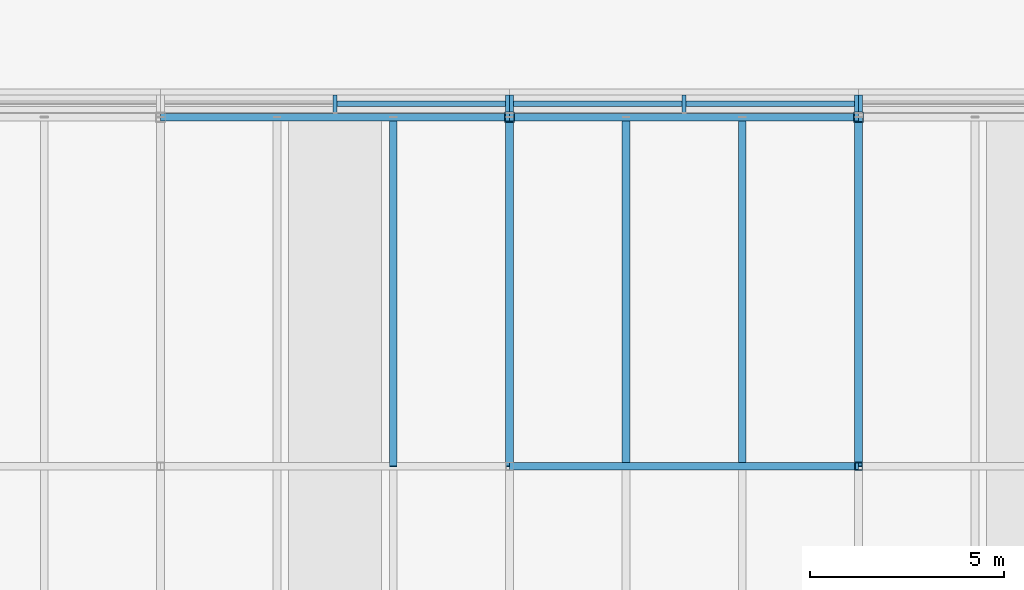
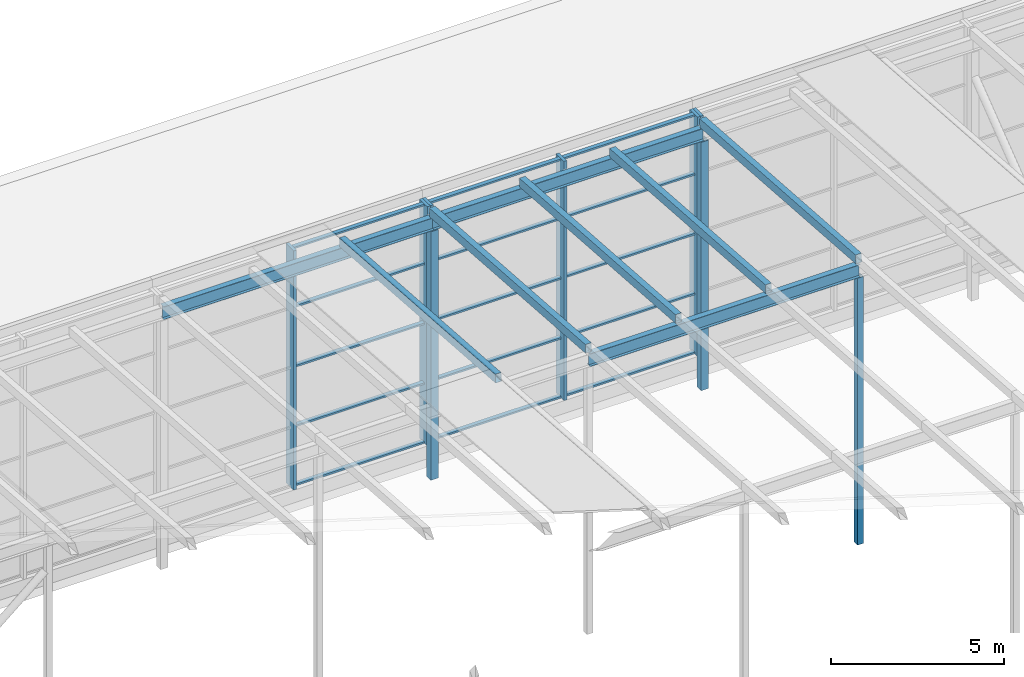
# One storey, part 46 of 84: 29 members, 3 beams, 3 elements without a shape of their own.
"""IFC4 building model written with IfcOpenShell, lengths in metres."""

from ifc_helpers import new_model, si_unit, direction, frame, origin, origin_2d, place, context, subcontext, project, spatial, rectangle, hollow_rectangle, i_section, extrude, material, material_profile, profile_set, type_object, element, aggregate, save


model = new_model("IFC4")

# Units and contexts
model_context = context("Model", 3, precision=1e-05, world=origin(), true_north=direction((0.0, 1.0)))
body_context = subcontext(model_context, "Body", "Model", "MODEL_VIEW")
ifc_project = project(units=[si_unit("LENGTHUNIT", "METRE"), si_unit("AREAUNIT", "SQUARE_METRE"), si_unit("VOLUMEUNIT", "CUBIC_METRE"), si_unit("PLANEANGLEUNIT", "RADIAN"), si_unit("MASSUNIT", "GRAM", prefix="KILO")], contexts=[model_context])

# Site, building, storey
site_placement = place(None, origin())
site = spatial("IfcSite", under=ifc_project, at=site_placement, CompositionType="ELEMENT")
building_placement = place(site_placement, origin())
building = spatial("IfcBuilding", under=site, at=building_placement, Name="Silverbay Arena", CompositionType="ELEMENT")
storey_placement = place(building_placement, frame((0.0, 0.0, 47.10009765625)))
storey = spatial("IfcBuildingStorey", under=building, at=storey_placement, Name="ROOF", CompositionType="ELEMENT", Elevation=47.10009765625)

# Curtain wall, members
ifc_material_1 = material(Name="Aluminium framed glazing", Category="aluminium")
curtain_wall_type = type_object("IfcCurtainWallType", Name="Curtain wall crown 9000 x 8425", PredefinedType="NOTDEFINED", material=ifc_material_1)
curtain_wall_1_placement = place(storey_placement, origin())
curtain_wall_1 = element("IfcCurtainWall", 1, at=curtain_wall_1_placement, inside=storey, type_object=curtain_wall_type, Name="ROOF CROWN CURTAIN WALL north bay 08", PredefinedType="NOTDEFINED")
ifc_material_2 = material(Name="Aluminium", Category="aluminium")
ifc_material_profile_1 = material_profile(ifc_material_2, rectangle(XDim=0.449951171875, YDim=0.10009765625, at=origin_2d()), Name="Mullion 100 x 450")
ifc_profile_set_1 = profile_set([ifc_material_profile_1], Name="Aluminium")
member_type_1 = type_object("IfcMemberType", Name="Mullion 100 x 450", PredefinedType="MULLION", material=ifc_profile_set_1)
placement = place(building_placement, frame((0.0, 0.0, 33.5)))
member_1_placement = place(placement, frame((148.5, 135.35009765625, 14.050048828125), z_axis=(0.0, 0.0, 1.0), x_axis=(0.0, 1.0, 0.0)))
member_1 = element("IfcMember", 2, at=member_1_placement, type_object=member_type_1, Name="CW62 mullion 2", PredefinedType="MULLION", context=body_context, shape_type="SweptSolid", body=[
    extrude(rectangle(XDim=0.449951171875, YDim=0.10009765625, at=origin_2d()), origin(), (0.0, 0.0, 1.0), 8.424560546875),
])
member_2_placement = place(placement, frame((152.949951171875, 135.35009765625, 14.050048828125), z_axis=(0.0, 0.0, 1.0), x_axis=(0.0, 1.0, 0.0)))
member_2 = element("IfcMember", 3, at=member_2_placement, type_object=member_type_1, Name="CW62 mullion 3", PredefinedType="MULLION", context=body_context, shape_type="SweptSolid", body=[
    extrude(rectangle(XDim=0.449951171875, YDim=0.10009765625, at=origin_2d()), origin(), (0.0, 0.0, 1.0), 8.424560546875),
])

curtain_wall_2_placement = place(storey_placement, origin())
curtain_wall_2 = element("IfcCurtainWall", 4, at=curtain_wall_2_placement, inside=storey, type_object=curtain_wall_type, Name="ROOF CROWN CURTAIN WALL north bay 09", PredefinedType="NOTDEFINED")
member_3_placement = place(placement, frame((153.050048828125, 135.35009765625, 14.050048828125), z_axis=(0.0, 0.0, 1.0), x_axis=(0.0, 1.0, 0.0)))
member_3 = element("IfcMember", 5, at=member_3_placement, type_object=member_type_1, Name="CW62 mullion 1", PredefinedType="MULLION", context=body_context, shape_type="SweptSolid", body=[
    extrude(rectangle(XDim=0.449951171875, YDim=0.10009765625, at=origin_2d()), origin(), (0.0, 0.0, 1.0), 8.424560546875),
])
member_4_placement = place(placement, frame((157.5, 135.35009765625, 14.050048828125), z_axis=(0.0, 0.0, 1.0), x_axis=(0.0, 1.0, 0.0)))
member_4 = element("IfcMember", 6, at=member_4_placement, type_object=member_type_1, Name="CW62 mullion 2", PredefinedType="MULLION", context=body_context, shape_type="SweptSolid", body=[
    extrude(rectangle(XDim=0.449951171875, YDim=0.10009765625, at=origin_2d()), origin(), (0.0, 0.0, 1.0), 8.424560546875),
])
member_5_placement = place(placement, frame((161.949951171875, 135.35009765625, 14.050048828125), z_axis=(0.0, 0.0, 1.0), x_axis=(0.0, 1.0, 0.0)))
member_5 = element("IfcMember", 7, at=member_5_placement, type_object=member_type_1, Name="CW62 mullion 3", PredefinedType="MULLION", context=body_context, shape_type="SweptSolid", body=[
    extrude(rectangle(XDim=0.449951171875, YDim=0.10009765625, at=origin_2d()), origin(), (0.0, 0.0, 1.0), 8.424560546875),
])

# Curtain wall, member
curtain_wall_3_placement = place(storey_placement, origin())
curtain_wall_3 = element("IfcCurtainWall", 8, at=curtain_wall_3_placement, inside=storey, type_object=curtain_wall_type, Name="ROOF CROWN CURTAIN WALL north bay 10", PredefinedType="NOTDEFINED")
member_6_placement = place(placement, frame((162.050048828125, 135.35009765625, 14.050048828125), z_axis=(0.0, 0.0, 1.0), x_axis=(0.0, 1.0, 0.0)))
member_6 = element("IfcMember", 9, at=member_6_placement, type_object=member_type_1, Name="CW62 mullion 1", PredefinedType="MULLION", context=body_context, shape_type="SweptSolid", body=[
    extrude(rectangle(XDim=0.449951171875, YDim=0.10009765625, at=origin_2d()), origin(), (0.0, 0.0, 1.0), 8.424560546875),
])
aggregate(curtain_wall_3, [member_6])

# Members
ifc_material_3 = material(Name="Steel S355", Category="steel")
ifc_material_profile_2 = material_profile(ifc_material_3, hollow_rectangle(XDim=0.199951171875, YDim=0.300048828125, WallThickness=0.00634765625, at=origin_2d()), Name="RHS 300x200x6.3")
ifc_profile_set_2 = profile_set([ifc_material_profile_2], Name="Steel S355")
member_type_2 = type_object("IfcMemberType", Name="Purlin RHS 300x200x6.3", PredefinedType="PURLIN", material=ifc_profile_set_2)
for number, where, z_axis, x_axis, name in (
    (10, (150.0, 126.0, 9.3994140625), (0.0, 0.997402911363, -0.072023832195), (-1.0, 0.0, 0.0), "ROOF PURLIN crown line 24 bay 12"),
    (11, (153.0, 126.0, 9.3994140625), (0.0, 0.997402911363, -0.072023832195), (-1.0, 0.0, 0.0), "ROOF PURLIN crown line 25 bay 12"),
    (12, (156.0, 126.0, 9.3994140625), (0.0, 0.997402911363, -0.072023832195), (-1.0, 0.0, 0.0), "ROOF PURLIN crown line 26 bay 12"),
    (13, (159.0, 126.0, 9.3994140625), (0.0, 0.997402911363, -0.072023832195), (-1.0, 0.0, 0.0), "ROOF PURLIN crown line 27 bay 12"),
    (14, (162.0, 126.0, 9.3994140625), (0.0, 0.997402911363, -0.072023832195), (-1.0, 0.0, 0.0), "ROOF PURLIN crown line 28 bay 12"),
):
    element("IfcMember", number, at=place(storey_placement, frame(where, z_axis=z_axis, x_axis=x_axis)), inside=storey, type_object=member_type_2, Name=name, PredefinedType="PURLIN", context=body_context, shape_type="SweptSolid", body=[
        extrude(hollow_rectangle(XDim=0.199951171875, YDim=0.300048828125, WallThickness=0.00634765625, at=origin_2d()), origin(), (0.0, 0.0, 1.0), 9.0234375),
    ])

# Beams
ifc_material_4 = material(Name="Steel S355", Category="steel")
ifc_material_profile_3 = material_profile(ifc_material_4, i_section(OverallWidth=0.18994140625, OverallDepth=0.453369140625, WebThickness=0.008544921875, FlangeThickness=0.0126953125, at=origin_2d()), Name="UB 457x191x67")
ifc_profile_set_3 = profile_set([ifc_material_profile_3], Name="Steel S355")
beam_type = type_object("IfcBeamType", Name="Ring beam UB 457x191x67", PredefinedType="BEAM", material=ifc_profile_set_3)
for number, where, z_axis, x_axis, name in (
    (15, (153.0, 126.0, 9.0224609375), (1.0, 0.0, 0.0), (0.0, 1.0, 0.0), "RING BEAM crown row 12 18-19"),
    (16, (144.0, 135.0, 8.372314453125), (1.0, 0.0, 0.0), (0.0, 1.0, 0.0), "RING BEAM crown row 13 17-18"),
    (17, (153.0, 135.0, 8.372314453125), (1.0, 0.0, 0.0), (0.0, 1.0, 0.0), "RING BEAM crown row 13 18-19"),
):
    element("IfcBeam", number, at=place(storey_placement, frame(where, z_axis=z_axis, x_axis=x_axis)), inside=storey, type_object=beam_type, Name=name, PredefinedType="BEAM", context=body_context, shape_type="SweptSolid", body=[
        extrude(i_section(OverallWidth=0.18994140625, OverallDepth=0.453369140625, WebThickness=0.008544921875, FlangeThickness=0.0126953125, at=origin_2d()), origin(), (0.0, 0.0, 1.0), 9.0),
    ])

# Members
ifc_material_5 = material(Name="Steel S355", Category="steel")
ifc_material_profile_4 = material_profile(ifc_material_5, hollow_rectangle(XDim=0.199951171875, YDim=0.199951171875, WallThickness=0.008056640625, at=origin_2d()), Name="SHS 200x200x8")
ifc_profile_set_4 = profile_set([ifc_material_profile_4], Name="Steel S355")
member_type_3 = type_object("IfcMemberType", Name="Roof post SHS 200x200x8", PredefinedType="POST", material=ifc_profile_set_4)
member_7_placement = place(storey_placement, frame((162.0, 126.0, -0.60009765625), z_axis=(0.0, 0.0, 1.0), x_axis=(1.0, 0.0, 0.0)))
element("IfcMember", 18, at=member_7_placement, inside=storey, type_object=member_type_3, Name="ROOF CROWN POST 19 row 12", PredefinedType="POST", context=body_context, shape_type="SweptSolid", body=[
    extrude(hollow_rectangle(XDim=0.199951171875, YDim=0.199951171875, WallThickness=0.008056640625, at=origin_2d()), origin(), (0.0, 0.0, 1.0), 9.395751953125),
])
ifc_material_6 = material(Name="Steel S355", Category="steel")
ifc_material_profile_5 = material_profile(ifc_material_6, hollow_rectangle(XDim=0.25, YDim=0.25, WallThickness=0.008056640625, at=origin_2d()), Name="SHS 250x250x8")
ifc_profile_set_5 = profile_set([ifc_material_profile_5], Name="Steel S355")
member_type_4 = type_object("IfcMemberType", Name="Roof post SHS 250x250x8", PredefinedType="POST", material=ifc_profile_set_5)
for number, where, z_axis, x_axis, name in (
    (19, (153.0, 135.0, -0.60009765625), (0.0, 0.0, 1.0), (1.0, 0.0, 0.0), "ROOF CROWN POST 18 row 13"),
    (20, (162.0, 135.0, -0.60009765625), (0.0, 0.0, 1.0), (1.0, 0.0, 0.0), "ROOF CROWN POST 19 row 13"),
):
    element("IfcMember", number, at=place(storey_placement, frame(where, z_axis=z_axis, x_axis=x_axis)), inside=storey, type_object=member_type_4, Name=name, PredefinedType="POST", context=body_context, shape_type="SweptSolid", body=[
        extrude(hollow_rectangle(XDim=0.25, YDim=0.25, WallThickness=0.008056640625, at=origin_2d()), origin(), (0.0, 0.0, 1.0), 8.745849609375),
    ])

# Member
ifc_material_7 = material(Name="Aluminium", Category="aluminium")
ifc_material_profile_6 = material_profile(ifc_material_7, rectangle(XDim=0.139892578125, YDim=0.06005859375, at=origin_2d()), Name="Transom 60 x 140")
ifc_profile_set_6 = profile_set([ifc_material_profile_6], Name="Aluminium")
member_type_5 = type_object("IfcMemberType", Name="Transom 60 x 140", PredefinedType="USERDEFINED", material=ifc_profile_set_6)
member_8_placement = place(placement, frame((148.550048828125, 135.35009765625, 14.080078125), z_axis=(1.0, 0.0, 0.0), x_axis=(0.0, 1.0, 0.0)))
member_8 = element("IfcMember", 21, at=member_8_placement, type_object=member_type_5, Name="CW62 transom 2.1", ObjectType="TRANSOM", PredefinedType="USERDEFINED", context=body_context, shape_type="SweptSolid", body=[
    extrude(rectangle(XDim=0.139892578125, YDim=0.06005859375, at=origin_2d()), origin(), (0.0, 0.0, 1.0), 4.349853515625),
])

member_9_placement = place(placement, frame((148.550048828125, 135.35009765625, 16.15625), z_axis=(1.0, 0.0, 0.0), x_axis=(0.0, 1.0, 0.0)))
member_9 = element("IfcMember", 22, at=member_9_placement, type_object=member_type_5, Name="CW62 transom 2.2", ObjectType="TRANSOM", PredefinedType="USERDEFINED", context=body_context, shape_type="SweptSolid", body=[
    extrude(rectangle(XDim=0.139892578125, YDim=0.06005859375, at=origin_2d()), origin(), (0.0, 0.0, 1.0), 4.349853515625),
])

member_10_placement = place(placement, frame((148.550048828125, 135.35009765625, 18.262451171875), z_axis=(1.0, 0.0, 0.0), x_axis=(0.0, 1.0, 0.0)))
member_10 = element("IfcMember", 23, at=member_10_placement, type_object=member_type_5, Name="CW62 transom 2.3", ObjectType="TRANSOM", PredefinedType="USERDEFINED", context=body_context, shape_type="SweptSolid", body=[
    extrude(rectangle(XDim=0.139892578125, YDim=0.06005859375, at=origin_2d()), origin(), (0.0, 0.0, 1.0), 4.349853515625),
])

member_11_placement = place(placement, frame((148.550048828125, 135.35009765625, 20.36865234375), z_axis=(1.0, 0.0, 0.0), x_axis=(0.0, 1.0, 0.0)))
member_11 = element("IfcMember", 24, at=member_11_placement, type_object=member_type_5, Name="CW62 transom 2.4", ObjectType="TRANSOM", PredefinedType="USERDEFINED", context=body_context, shape_type="SweptSolid", body=[
    extrude(rectangle(XDim=0.139892578125, YDim=0.06005859375, at=origin_2d()), origin(), (0.0, 0.0, 1.0), 4.349853515625),
])

member_12_placement = place(placement, frame((148.550048828125, 135.35009765625, 22.44482421875), z_axis=(1.0, 0.0, 0.0), x_axis=(0.0, 1.0, 0.0)))
member_12 = element("IfcMember", 25, at=member_12_placement, type_object=member_type_5, Name="CW62 transom 2.5", ObjectType="TRANSOM", PredefinedType="USERDEFINED", context=body_context, shape_type="SweptSolid", body=[
    extrude(rectangle(XDim=0.139892578125, YDim=0.06005859375, at=origin_2d()), origin(), (0.0, 0.0, 1.0), 4.349853515625),
])

aggregate(curtain_wall_1, [member_1, member_2, member_8, member_9, member_10, member_11, member_12])

member_13_placement = place(placement, frame((153.10009765625, 135.35009765625, 14.080078125), z_axis=(1.0, 0.0, 0.0), x_axis=(0.0, 1.0, 0.0)))
member_13 = element("IfcMember", 26, at=member_13_placement, type_object=member_type_5, Name="CW62 transom 1.1", ObjectType="TRANSOM", PredefinedType="USERDEFINED", context=body_context, shape_type="SweptSolid", body=[
    extrude(rectangle(XDim=0.139892578125, YDim=0.06005859375, at=origin_2d()), origin(), (0.0, 0.0, 1.0), 4.349853515625),
])

member_14_placement = place(placement, frame((153.10009765625, 135.35009765625, 16.15625), z_axis=(1.0, 0.0, 0.0), x_axis=(0.0, 1.0, 0.0)))
member_14 = element("IfcMember", 27, at=member_14_placement, type_object=member_type_5, Name="CW62 transom 1.2", ObjectType="TRANSOM", PredefinedType="USERDEFINED", context=body_context, shape_type="SweptSolid", body=[
    extrude(rectangle(XDim=0.139892578125, YDim=0.06005859375, at=origin_2d()), origin(), (0.0, 0.0, 1.0), 4.349853515625),
])

member_15_placement = place(placement, frame((153.10009765625, 135.35009765625, 18.262451171875), z_axis=(1.0, 0.0, 0.0), x_axis=(0.0, 1.0, 0.0)))
member_15 = element("IfcMember", 28, at=member_15_placement, type_object=member_type_5, Name="CW62 transom 1.3", ObjectType="TRANSOM", PredefinedType="USERDEFINED", context=body_context, shape_type="SweptSolid", body=[
    extrude(rectangle(XDim=0.139892578125, YDim=0.06005859375, at=origin_2d()), origin(), (0.0, 0.0, 1.0), 4.349853515625),
])

member_16_placement = place(placement, frame((153.10009765625, 135.35009765625, 20.36865234375), z_axis=(1.0, 0.0, 0.0), x_axis=(0.0, 1.0, 0.0)))
member_16 = element("IfcMember", 29, at=member_16_placement, type_object=member_type_5, Name="CW62 transom 1.4", ObjectType="TRANSOM", PredefinedType="USERDEFINED", context=body_context, shape_type="SweptSolid", body=[
    extrude(rectangle(XDim=0.139892578125, YDim=0.06005859375, at=origin_2d()), origin(), (0.0, 0.0, 1.0), 4.349853515625),
])

member_17_placement = place(placement, frame((153.10009765625, 135.35009765625, 22.44482421875), z_axis=(1.0, 0.0, 0.0), x_axis=(0.0, 1.0, 0.0)))
member_17 = element("IfcMember", 30, at=member_17_placement, type_object=member_type_5, Name="CW62 transom 1.5", ObjectType="TRANSOM", PredefinedType="USERDEFINED", context=body_context, shape_type="SweptSolid", body=[
    extrude(rectangle(XDim=0.139892578125, YDim=0.06005859375, at=origin_2d()), origin(), (0.0, 0.0, 1.0), 4.349853515625),
])

member_18_placement = place(placement, frame((157.550048828125, 135.35009765625, 14.080078125), z_axis=(1.0, 0.0, 0.0), x_axis=(0.0, 1.0, 0.0)))
member_18 = element("IfcMember", 31, at=member_18_placement, type_object=member_type_5, Name="CW62 transom 2.1", ObjectType="TRANSOM", PredefinedType="USERDEFINED", context=body_context, shape_type="SweptSolid", body=[
    extrude(rectangle(XDim=0.139892578125, YDim=0.06005859375, at=origin_2d()), origin(), (0.0, 0.0, 1.0), 4.349853515625),
])

member_19_placement = place(placement, frame((157.550048828125, 135.35009765625, 16.15625), z_axis=(1.0, 0.0, 0.0), x_axis=(0.0, 1.0, 0.0)))
member_19 = element("IfcMember", 32, at=member_19_placement, type_object=member_type_5, Name="CW62 transom 2.2", ObjectType="TRANSOM", PredefinedType="USERDEFINED", context=body_context, shape_type="SweptSolid", body=[
    extrude(rectangle(XDim=0.139892578125, YDim=0.06005859375, at=origin_2d()), origin(), (0.0, 0.0, 1.0), 4.349853515625),
])

member_20_placement = place(placement, frame((157.550048828125, 135.35009765625, 18.262451171875), z_axis=(1.0, 0.0, 0.0), x_axis=(0.0, 1.0, 0.0)))
member_20 = element("IfcMember", 33, at=member_20_placement, type_object=member_type_5, Name="CW62 transom 2.3", ObjectType="TRANSOM", PredefinedType="USERDEFINED", context=body_context, shape_type="SweptSolid", body=[
    extrude(rectangle(XDim=0.139892578125, YDim=0.06005859375, at=origin_2d()), origin(), (0.0, 0.0, 1.0), 4.349853515625),
])

member_21_placement = place(placement, frame((157.550048828125, 135.35009765625, 20.36865234375), z_axis=(1.0, 0.0, 0.0), x_axis=(0.0, 1.0, 0.0)))
member_21 = element("IfcMember", 34, at=member_21_placement, type_object=member_type_5, Name="CW62 transom 2.4", ObjectType="TRANSOM", PredefinedType="USERDEFINED", context=body_context, shape_type="SweptSolid", body=[
    extrude(rectangle(XDim=0.139892578125, YDim=0.06005859375, at=origin_2d()), origin(), (0.0, 0.0, 1.0), 4.349853515625),
])

member_22_placement = place(placement, frame((157.550048828125, 135.35009765625, 22.44482421875), z_axis=(1.0, 0.0, 0.0), x_axis=(0.0, 1.0, 0.0)))
member_22 = element("IfcMember", 35, at=member_22_placement, type_object=member_type_5, Name="CW62 transom 2.5", ObjectType="TRANSOM", PredefinedType="USERDEFINED", context=body_context, shape_type="SweptSolid", body=[
    extrude(rectangle(XDim=0.139892578125, YDim=0.06005859375, at=origin_2d()), origin(), (0.0, 0.0, 1.0), 4.349853515625),
])

aggregate(curtain_wall_2, [member_3, member_4, member_5, member_13, member_14, member_15, member_16, member_17, member_18, member_19, member_20, member_21, member_22])

save(model, "model.ifc")
